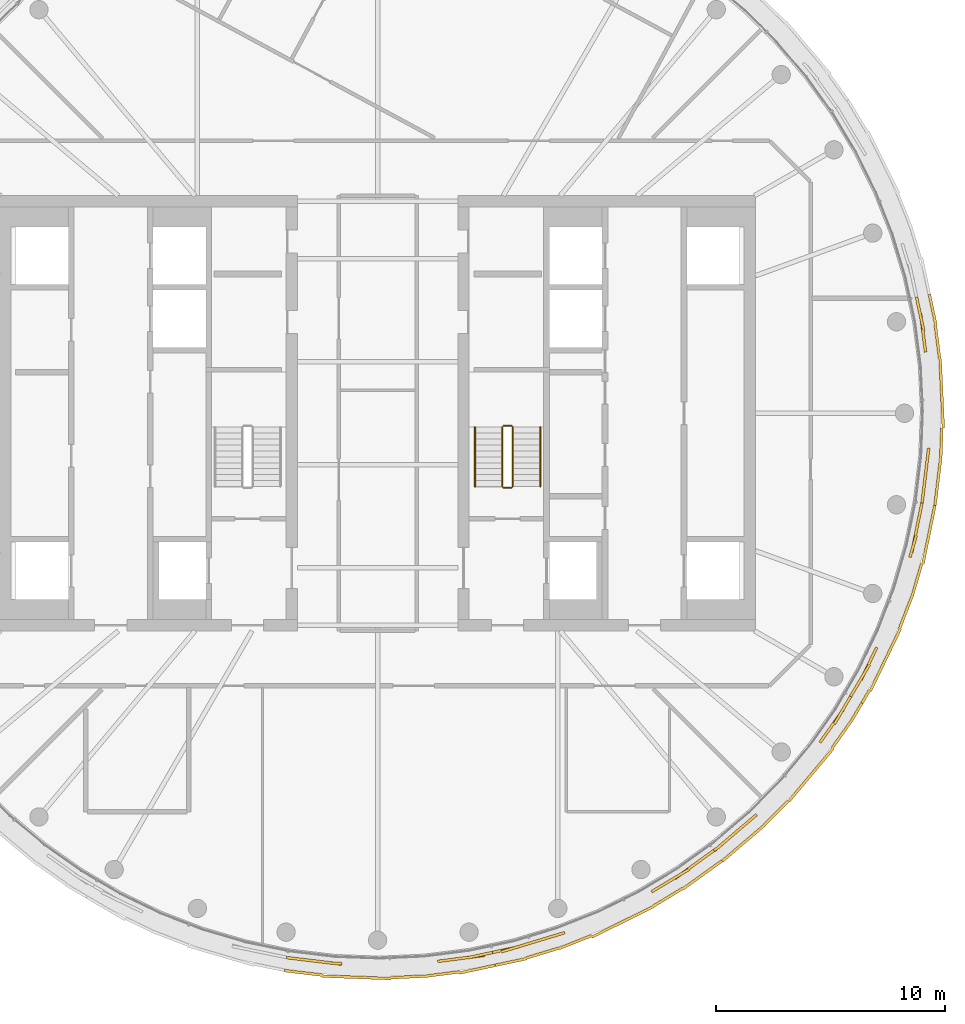
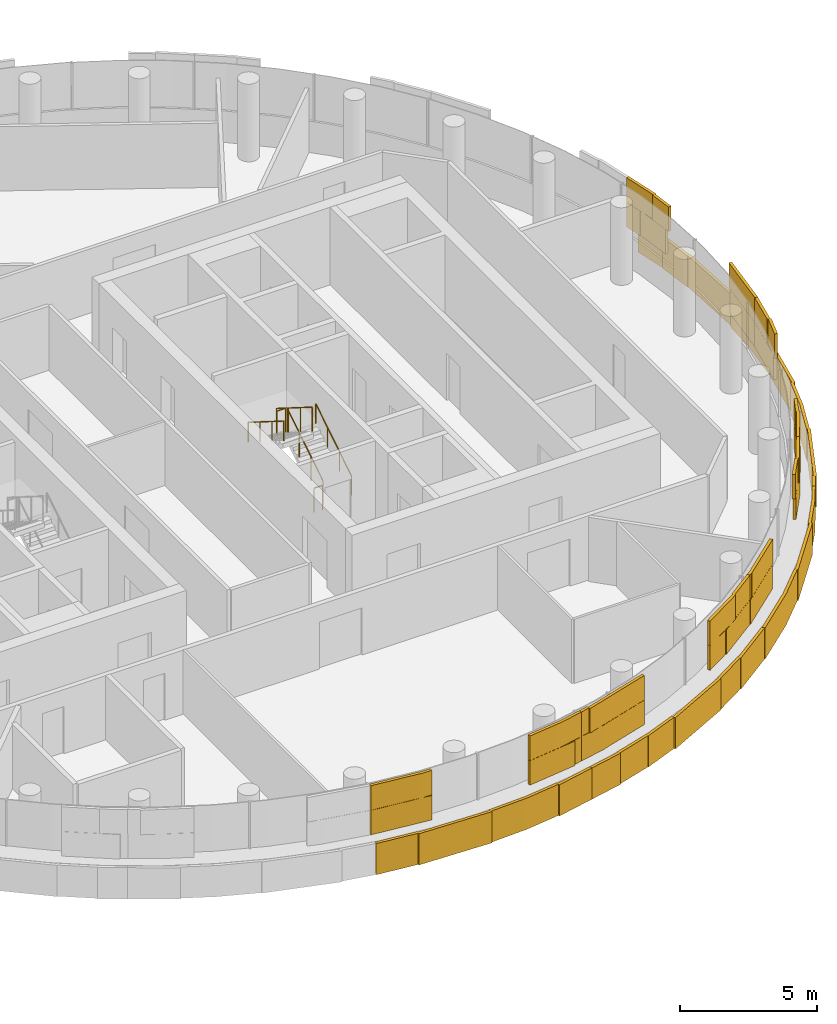
# One storey, part 19 of 22: 6 railings, 5 coverings.
"""IFC4 building model written with IfcOpenShell, lengths in metres."""

from ifc_helpers import new_model, si_unit, direction, frame, origin, origin_2d, place, context, subcontext, project, spatial, rectangle, circle, extrude, material, layer, layer_set, type_object, element, save


model = new_model("IFC4")

# Units and contexts
model_context = context("Model", 3, precision=1e-05, world=origin(), true_north=direction((0.0, 1.0)))
body_context = subcontext(model_context, "Body", "Model", "MODEL_VIEW")
ifc_project = project(units=[si_unit("LENGTHUNIT", "METRE"), si_unit("AREAUNIT", "SQUARE_METRE"), si_unit("VOLUMEUNIT", "CUBIC_METRE"), si_unit("PLANEANGLEUNIT", "RADIAN"), si_unit("MASSUNIT", "GRAM", prefix="KILO")], contexts=[model_context])

# Site, building, storey
site_placement = place(None, origin())
site = spatial("IfcSite", under=ifc_project, at=site_placement, CompositionType="ELEMENT")
building_placement = place(site_placement, origin())
building = spatial("IfcBuilding", under=site, at=building_placement, Name="Tamarind Cross Interchange Tower", CompositionType="ELEMENT")
storey_placement = place(building_placement, frame((0.0, 0.0, 256.800048828125)))
storey = spatial("IfcBuildingStorey", under=building, at=storey_placement, Name="L65", CompositionType="ELEMENT", Elevation=256.800048828125)

# Railings
ifc_material_1 = material(Name="Stair guard")
railing_type_1 = type_object("IfcRailingType", Name="Stair guard", PredefinedType="GUARDRAIL", material=ifc_material_1)
railing_1_placement = place(storey_placement, frame((5.89990234375, -3.199951171875, 0.16357421875)))
element("IfcRailing", 1, at=railing_1_placement, inside=storey, type_object=railing_type_1, Name="L65 ST2 stair guard 1", PredefinedType="GUARDRAIL", context=body_context, shape_type="SweptSolid", body=[
    extrude(circle(Radius=0.02392578125, at=origin_2d()), frame((0.0, 0.0, 1.076171875), z_axis=(0.0, 0.846301844409, 0.532703658848), x_axis=(-1.0, 0.0, 0.0)), (0.0, 0.0, 1.0), 3.072021484375),
    extrude(circle(Radius=0.02099609375, at=origin_2d()), origin(), (0.0, 0.0, 1.0), 1.052001953125),
    extrude(circle(Radius=0.02099609375, at=origin_2d()), frame((0.0, 0.86669921875, 0.54541015625)), (0.0, 0.0, 1.0), 1.052001953125),
    extrude(circle(Radius=0.02099609375, at=origin_2d()), frame((0.0, 1.733154296875, 1.091064453125)), (0.0, 0.0, 1.0), 1.052001953125),
    extrude(circle(Radius=0.02099609375, at=origin_2d()), frame((0.0, 2.599853515625, 1.636474609375)), (0.0, 0.0, 1.0), 1.052001953125),
])
railing_2_placement = place(storey_placement, frame((5.85009765625, -0.550048828125, 1.800048828125)))
element("IfcRailing", 2, at=railing_2_placement, inside=storey, type_object=railing_type_1, Name="L65 ST2 stair guard 2", PredefinedType="GUARDRAIL", context=body_context, shape_type="SweptSolid", body=[
    extrude(circle(Radius=0.02392578125, at=origin_2d()), frame((0.0, 0.0, 1.076171875), z_axis=(-1.0, 0.0, 0.0), x_axis=(0.0, -1.0, 0.0)), (0.0, 0.0, 1.0), 0.35009765625),
    extrude(circle(Radius=0.02099609375, at=origin_2d()), origin(), (0.0, 0.0, 1.0), 1.052001953125),
    extrude(circle(Radius=0.02099609375, at=origin_2d()), frame((-0.35009765625, 0.0, 0.0)), (0.0, 0.0, 1.0), 1.052001953125),
])
railing_3_placement = place(storey_placement, frame((5.449951171875, -0.60009765625, 1.963623046875)))
element("IfcRailing", 3, at=railing_3_placement, inside=storey, type_object=railing_type_1, Name="L65 ST2 stair guard 3", PredefinedType="GUARDRAIL", context=body_context, shape_type="SweptSolid", body=[
    extrude(circle(Radius=0.02392578125, at=origin_2d()), frame((0.0, 0.0, 1.076171875), z_axis=(0.0, -0.846337672412, 0.532646734952), x_axis=(1.0, 0.0, 0.0)), (0.0, 0.0, 1.0), 3.07177734375),
    extrude(circle(Radius=0.02099609375, at=origin_2d()), origin(), (0.0, 0.0, 1.0), 1.052001953125),
    extrude(circle(Radius=0.02099609375, at=origin_2d()), frame((0.0, -0.86669921875, 0.54541015625)), (0.0, 0.0, 1.0), 1.052001953125),
    extrude(circle(Radius=0.02099609375, at=origin_2d()), frame((0.0, -1.733154296875, 1.0908203125)), (0.0, 0.0, 1.0), 1.052001953125),
    extrude(circle(Radius=0.02099609375, at=origin_2d()), frame((0.0, -2.599853515625, 1.63623046875)), (0.0, 0.0, 1.0), 1.052001953125),
])
railing_4_placement = place(storey_placement, frame((5.85009765625, -3.25, 0.0)))
element("IfcRailing", 4, at=railing_4_placement, inside=storey, type_object=railing_type_1, Name="L65 ST2 stair guard 4", PredefinedType="GUARDRAIL", context=body_context, shape_type="SweptSolid", body=[
    extrude(circle(Radius=0.02392578125, at=origin_2d()), frame((0.0, 0.0, 1.076171875), z_axis=(-1.0, 0.0, 0.0), x_axis=(0.0, -1.0, 0.0)), (0.0, 0.0, 1.0), 0.35009765625),
    extrude(circle(Radius=0.02099609375, at=origin_2d()), origin(), (0.0, 0.0, 1.0), 1.052001953125),
    extrude(circle(Radius=0.02099609375, at=origin_2d()), frame((-0.35009765625, 0.0, 0.0)), (0.0, 0.0, 1.0), 1.052001953125),
])
ifc_material_2 = material(Name="Stair handrail")
railing_type_2 = type_object("IfcRailingType", Name="Stair handrail", PredefinedType="HANDRAIL", material=ifc_material_2)
railing_5_placement = place(storey_placement, frame((7.10009765625, -3.199951171875, 0.16357421875)))
element("IfcRailing", 5, at=railing_5_placement, inside=storey, type_object=railing_type_2, Name="L65 ST2 stair handrail 1", PredefinedType="HANDRAIL", context=body_context, shape_type="SweptSolid", body=[
    extrude(circle(Radius=0.02392578125, at=origin_2d()), frame((0.0, 0.0, 0.8759765625), z_axis=(0.0, 0.846301844409, 0.532703658848), x_axis=(-1.0, 0.0, 0.0)), (0.0, 0.0, 1.0), 3.072021484375),
    extrude(circle(Radius=0.02099609375, at=origin_2d()), origin(), (0.0, 0.0, 1.0), 0.851806640625),
    extrude(circle(Radius=0.02099609375, at=origin_2d()), frame((0.0, 0.86669921875, 0.54541015625)), (0.0, 0.0, 1.0), 0.851806640625),
    extrude(circle(Radius=0.02099609375, at=origin_2d()), frame((0.0, 1.733154296875, 1.091064453125)), (0.0, 0.0, 1.0), 0.851806640625),
    extrude(circle(Radius=0.02099609375, at=origin_2d()), frame((0.0, 2.599853515625, 1.636474609375)), (0.0, 0.0, 1.0), 0.851806640625),
])
railing_6_placement = place(storey_placement, frame((4.25, -0.60009765625, 1.963623046875)))
element("IfcRailing", 6, at=railing_6_placement, inside=storey, type_object=railing_type_2, Name="L65 ST2 stair handrail 2", PredefinedType="HANDRAIL", context=body_context, shape_type="SweptSolid", body=[
    extrude(circle(Radius=0.02392578125, at=origin_2d()), frame((0.0, 0.0, 0.8759765625), z_axis=(0.0, -0.846337672412, 0.532646734952), x_axis=(1.0, 0.0, 0.0)), (0.0, 0.0, 1.0), 3.07177734375),
    extrude(circle(Radius=0.02099609375, at=origin_2d()), origin(), (0.0, 0.0, 1.0), 0.851806640625),
    extrude(circle(Radius=0.02099609375, at=origin_2d()), frame((0.0, -0.86669921875, 0.54541015625)), (0.0, 0.0, 1.0), 0.851806640625),
    extrude(circle(Radius=0.02099609375, at=origin_2d()), frame((0.0, -1.733154296875, 1.0908203125)), (0.0, 0.0, 1.0), 0.851806640625),
    extrude(circle(Radius=0.02099609375, at=origin_2d()), frame((0.0, -2.599853515625, 1.63623046875)), (0.0, 0.0, 1.0), 0.851806640625),
])

# Coverings
ifc_material_3 = material(Name="Terracotta", Category="masonry")
ifc_layer = layer(ifc_material_3, 0.1201171875)
ifc_layer_set = layer_set([ifc_layer], Name="Terracotta")
covering_type = type_object("IfcCoveringType", Name="Terracotta baguette screen unit", PredefinedType="MOLDING", material=ifc_layer_set)
covering_1_placement = place(storey_placement, origin())
element("IfcCovering", 7, at=covering_1_placement, inside=storey, type_object=covering_type, Name="SCR-L65-01-07", PredefinedType="MOLDING", context=body_context, shape_type="SweptSolid", body=[
    extrude(rectangle(XDim=1.19140625, YDim=0.1201171875, at=origin_2d()), frame((-3.385498046875, -23.831787109375, 1.40380859375), z_axis=(0.0, 0.0, 1.0), x_axis=(0.992843710523, -0.119420963295, 0.0)), (0.0, 0.0, 1.0), 1.092041015625),
    extrude(rectangle(XDim=1.25, YDim=0.1201171875, at=origin_2d()), frame((-2.18359375, -23.976318359375, 1.40380859375), z_axis=(0.0, 0.0, 1.0), x_axis=(0.992843710523, -0.119420963295, 0.0)), (0.0, 0.0, 1.0), 1.092041015625),
    extrude(rectangle(XDim=0.570068359375, YDim=0.1201171875, at=origin_2d()), frame((2.904296875, -23.89013671875, 1.40380859375), z_axis=(0.0, 0.0, 1.0), x_axis=(0.991779070368, 0.127962008342, 0.0)), (0.0, 0.0, 1.0), 1.092041015625),
    extrude(rectangle(XDim=1.52001953125, YDim=0.1201171875, at=origin_2d()), frame((3.92578125, -23.75830078125, 1.40380859375), z_axis=(0.0, 0.0, 1.0), x_axis=(0.991779070368, 0.127962008342, 0.0)), (0.0, 0.0, 1.0), 1.092041015625),
    extrude(rectangle(XDim=0.371337890625, YDim=0.1201171875, at=origin_2d()), frame((4.837646484375, -23.5751953125, 1.40380859375), z_axis=(0.0, 0.0, 1.0), x_axis=(0.977824623121, 0.209425419705, 0.0)), (0.0, 0.0, 1.0), 1.092041015625),
    extrude(rectangle(XDim=0.44140625, YDim=0.1201171875, at=origin_2d()), frame((-3.7578125, -23.786865234375, 2.50390625), z_axis=(0.0, 0.0, 1.0), x_axis=(0.992843710523, -0.119420963295, 0.0)), (0.0, 0.0, 1.0), 1.092041015625),
    extrude(rectangle(XDim=1.52001953125, YDim=0.1201171875, at=origin_2d()), frame((-2.799072265625, -23.90234375, 2.50390625), z_axis=(0.0, 0.0, 1.0), x_axis=(0.992843710523, -0.119420963295, 0.0)), (0.0, 0.0, 1.0), 1.092041015625),
    extrude(rectangle(XDim=0.5, YDim=0.1201171875, at=origin_2d()), frame((-1.810791015625, -24.014892578125, 2.50390625), z_axis=(0.0, 0.0, 1.0), x_axis=(0.999314350871, -0.037024696392, 0.0)), (0.0, 0.0, 1.0), 1.092041015625),
    extrude(rectangle(XDim=1.320068359375, YDim=0.1201171875, at=origin_2d()), frame((3.276123046875, -23.84228515625, 2.50390625), z_axis=(0.0, 0.0, 1.0), x_axis=(0.991779070368, 0.127962008342, 0.0)), (0.0, 0.0, 1.0), 1.092041015625),
    extrude(rectangle(XDim=1.121337890625, YDim=0.1201171875, at=origin_2d()), frame((4.47119140625, -23.653564453125, 2.50390625), z_axis=(0.0, 0.0, 1.0), x_axis=(0.977824623121, 0.209425419705, 0.0)), (0.0, 0.0, 1.0), 1.092041015625),
    extrude(rectangle(XDim=0.17626953125, YDim=0.1201171875, at=origin_2d()), frame((-3.97900390625, -24.33642578125, 0.00390625), z_axis=(0.0, 0.0, 1.0), x_axis=(0.9795909409, -0.201001463943, 0.0)), (0.0, 0.0, 1.0), 1.39208984375),
    extrude(rectangle(XDim=1.52001953125, YDim=0.1201171875, at=origin_2d()), frame((-3.156982421875, -24.437255859375, 0.00390625), z_axis=(0.0, 0.0, 1.0), x_axis=(0.992843710523, -0.119420963295, 0.0)), (0.0, 0.0, 1.0), 1.39208984375),
    extrude(rectangle(XDim=1.52001953125, YDim=0.1201171875, at=origin_2d()), frame((-1.666015625, -24.5947265625, 0.00390625), z_axis=(0.0, 0.0, 1.0), x_axis=(0.999314350871, -0.037024696392, 0.0)), (0.0, 0.0, 1.0), 1.39208984375),
    extrude(rectangle(XDim=1.52001953125, YDim=0.1201171875, at=origin_2d()), frame((-0.1669921875, -24.650146484375, 0.00390625), z_axis=(0.0, 0.0, 1.0), x_axis=(0.999314350871, -0.037024696392, 0.0)), (0.0, 0.0, 1.0), 1.39208984375),
    extrude(rectangle(XDim=1.52001953125, YDim=0.1201171875, at=origin_2d()), frame((1.33154296875, -24.604248046875, 0.00390625), z_axis=(0.0, 0.0, 1.0), x_axis=(0.998958660912, 0.045624486728, 0.0)), (0.0, 0.0, 1.0), 1.39208984375),
    extrude(rectangle(XDim=1.52001953125, YDim=0.1201171875, at=origin_2d()), frame((2.824951171875, -24.479248046875, 0.00390625), z_axis=(0.0, 0.0, 1.0), x_axis=(0.991779070368, 0.127962008342, 0.0)), (0.0, 0.0, 1.0), 1.39208984375),
    extrude(rectangle(XDim=1.52001953125, YDim=0.1201171875, at=origin_2d()), frame((4.310546875, -24.27490234375, 0.00390625), z_axis=(0.0, 0.0, 1.0), x_axis=(0.977824623121, 0.209425419705, 0.0)), (0.0, 0.0, 1.0), 1.39208984375),
    extrude(rectangle(XDim=0.10205078125, YDim=0.1201171875, at=origin_2d()), frame((5.083984375, -24.109375, 0.00390625), z_axis=(0.0, 0.0, 1.0), x_axis=(0.977824623121, 0.209425419705, 0.0)), (0.0, 0.0, 1.0), 1.39208984375),
])
covering_2_placement = place(storey_placement, origin())
element("IfcCovering", 8, at=covering_2_placement, inside=storey, type_object=covering_type, Name="SCR-L65-01-08", PredefinedType="MOLDING", context=body_context, shape_type="SweptSolid", body=[
    extrude(rectangle(XDim=1.148681640625, YDim=0.1201171875, at=origin_2d()), frame((5.571044921875, -23.41796875, 1.40380859375), z_axis=(0.0, 0.0, 1.0), x_axis=(0.977824623121, 0.209425419705, 0.0)), (0.0, 0.0, 1.0), 1.092041015625),
    extrude(rectangle(XDim=1.52001953125, YDim=0.1201171875, at=origin_2d()), frame((6.84326171875, -23.072265625, 1.40380859375), z_axis=(0.0, 0.0, 1.0), x_axis=(0.957190642199, 0.289458243079, 0.0)), (0.0, 0.0, 1.0), 1.092041015625),
    extrude(rectangle(XDim=0.642822265625, YDim=0.1201171875, at=origin_2d()), frame((7.864013671875, -22.763671875, 1.40380859375), z_axis=(0.0, 0.0, 1.0), x_axis=(0.957190642199, 0.289458243079, 0.0)), (0.0, 0.0, 1.0), 1.092041015625),
    extrude(rectangle(XDim=1.17724609375, YDim=0.1201171875, at=origin_2d()), frame((12.46435546875, -20.586181640625, 1.40380859375), z_axis=(0.0, 0.0, 1.0), x_axis=(0.856843065292, 0.515577308909, 0.0)), (0.0, 0.0, 1.0), 1.092041015625),
    extrude(rectangle(XDim=1.52001953125, YDim=0.1201171875, at=origin_2d()), frame((13.588623046875, -19.87060546875, 1.40380859375), z_axis=(0.0, 0.0, 1.0), x_axis=(0.811340475102, 0.584573890505, 0.0)), (0.0, 0.0, 1.0), 1.092041015625),
    extrude(rectangle(XDim=0.6142578125, YDim=0.1201171875, at=origin_2d()), frame((14.4423828125, -19.255615234375, 1.40380859375), z_axis=(0.0, 0.0, 1.0), x_axis=(0.811340475102, 0.584573890505, 0.0)), (0.0, 0.0, 1.0), 1.092041015625),
    extrude(rectangle(XDim=0.398681640625, YDim=0.1201171875, at=origin_2d()), frame((5.204345703125, -23.49658203125, 2.50390625), z_axis=(0.0, 0.0, 1.0), x_axis=(0.977824623121, 0.209425419705, 0.0)), (0.0, 0.0, 1.0), 1.092041015625),
    extrude(rectangle(XDim=1.52001953125, YDim=0.1201171875, at=origin_2d()), frame((6.12548828125, -23.289306640625, 2.50390625), z_axis=(0.0, 0.0, 1.0), x_axis=(0.957190642199, 0.289458243079, 0.0)), (0.0, 0.0, 1.0), 1.092041015625),
    extrude(rectangle(XDim=1.392822265625, YDim=0.1201171875, at=origin_2d()), frame((7.505126953125, -22.8720703125, 2.50390625), z_axis=(0.0, 0.0, 1.0), x_axis=(0.957190642199, 0.289458243079, 0.0)), (0.0, 0.0, 1.0), 1.092041015625),
    extrude(rectangle(XDim=0.42724609375, YDim=0.1201171875, at=origin_2d()), frame((12.14306640625, -20.779541015625, 2.50390625), z_axis=(0.0, 0.0, 1.0), x_axis=(0.856843065292, 0.515577308909, 0.0)), (0.0, 0.0, 1.0), 1.092041015625),
    extrude(rectangle(XDim=1.52001953125, YDim=0.1201171875, at=origin_2d()), frame((12.96435546875, -20.285400390625, 2.50390625), z_axis=(0.0, 0.0, 1.0), x_axis=(0.856843065292, 0.515577308909, 0.0)), (0.0, 0.0, 1.0), 1.092041015625),
    extrude(rectangle(XDim=1.3642578125, YDim=0.1201171875, at=origin_2d()), frame((14.137939453125, -19.474853515625, 2.50390625), z_axis=(0.0, 0.0, 1.0), x_axis=(0.811340475102, 0.584573890505, 0.0)), (0.0, 0.0, 1.0), 1.092041015625),
    extrude(rectangle(XDim=1.41796875, YDim=0.1201171875, at=origin_2d()), frame((5.8271484375, -23.9501953125, 0.00390625), z_axis=(0.0, 0.0, 1.0), x_axis=(0.977824623121, 0.209425419705, 0.0)), (0.0, 0.0, 1.0), 1.39208984375),
    extrude(rectangle(XDim=1.52001953125, YDim=0.1201171875, at=origin_2d()), frame((7.220947265625, -23.557861328125, 0.00390625), z_axis=(0.0, 0.0, 1.0), x_axis=(0.957190642199, 0.289458243079, 0.0)), (0.0, 0.0, 1.0), 1.39208984375),
    extrude(rectangle(XDim=1.52001953125, YDim=0.1201171875, at=origin_2d()), frame((8.641357421875, -23.078857421875, 0.00390625), z_axis=(0.0, 0.0, 1.0), x_axis=(0.930018078613, 0.367513773146, 0.0)), (0.0, 0.0, 1.0), 1.39208984375),
    extrude(rectangle(XDim=1.52001953125, YDim=0.1201171875, at=origin_2d()), frame((10.03515625, -22.52490234375, 0.00390625), z_axis=(0.0, 0.0, 1.0), x_axis=(0.896492548518, 0.443058811505, 0.0)), (0.0, 0.0, 1.0), 1.39208984375),
    extrude(rectangle(XDim=1.52001953125, YDim=0.1201171875, at=origin_2d()), frame((11.3798828125, -21.860107421875, 0.00390625), z_axis=(0.0, 0.0, 1.0), x_axis=(0.896492548518, 0.443058811505, 0.0)), (0.0, 0.0, 1.0), 1.39208984375),
    extrude(rectangle(XDim=1.52001953125, YDim=0.1201171875, at=origin_2d()), frame((12.68505859375, -21.123291015625, 0.00390625), z_axis=(0.0, 0.0, 1.0), x_axis=(0.856843065292, 0.515577308909, 0.0)), (0.0, 0.0, 1.0), 1.39208984375),
    extrude(rectangle(XDim=1.52001953125, YDim=0.1201171875, at=origin_2d()), frame((13.949462890625, -20.318115234375, 0.00390625), z_axis=(0.0, 0.0, 1.0), x_axis=(0.811340475102, 0.584573890505, 0.0)), (0.0, 0.0, 1.0), 1.39208984375),
    extrude(rectangle(XDim=0.6015625, YDim=0.1201171875, at=origin_2d()), frame((14.793701171875, -19.7099609375, 0.00390625), z_axis=(0.0, 0.0, 1.0), x_axis=(0.811340475102, 0.584573890505, 0.0)), (0.0, 0.0, 1.0), 1.39208984375),
])
covering_3_placement = place(storey_placement, origin())
element("IfcCovering", 9, at=covering_3_placement, inside=storey, type_object=covering_type, Name="SCR-L65-01-09", PredefinedType="MOLDING", context=body_context, shape_type="SweptSolid", body=[
    extrude(rectangle(XDim=0.905517578125, YDim=0.1201171875, at=origin_2d()), frame((15.039794921875, -18.80322265625, 1.40380859375), z_axis=(0.0, 0.0, 1.0), x_axis=(0.760295606781, 0.64957723968, 0.0)), (0.0, 0.0, 1.0), 1.092041015625),
    extrude(rectangle(XDim=1.52001953125, YDim=0.1201171875, at=origin_2d()), frame((15.950439453125, -18.025146484375, 1.40380859375), z_axis=(0.0, 0.0, 1.0), x_axis=(0.760295606781, 0.64957723968, 0.0)), (0.0, 0.0, 1.0), 1.092041015625),
    extrude(rectangle(XDim=1.52001953125, YDim=0.1201171875, at=origin_2d()), frame((19.9033203125, -13.53515625, 1.40380859375), z_axis=(0.0, 0.0, 1.0), x_axis=(0.577568978284, 0.816341886298, 0.0)), (0.0, 0.0, 1.0), 1.092041015625),
    extrude(rectangle(XDim=0.656982421875, YDim=0.1201171875, at=origin_2d()), frame((20.487060546875, -12.63525390625, 1.40380859375), z_axis=(0.0, 0.0, 1.0), x_axis=(0.508183308752, 0.861248933065, 0.0)), (0.0, 0.0, 1.0), 1.092041015625),
    extrude(rectangle(XDim=0.155517578125, YDim=0.1201171875, at=origin_2d()), frame((14.74658203125, -19.036376953125, 2.50390625), z_axis=(0.0, 0.0, 1.0), x_axis=(0.811340475102, 0.584573890505, 0.0)), (0.0, 0.0, 1.0), 1.092041015625),
    extrude(rectangle(XDim=1.52001953125, YDim=0.1201171875, at=origin_2d()), frame((15.380126953125, -18.51220703125, 2.50390625), z_axis=(0.0, 0.0, 1.0), x_axis=(0.760295606781, 0.64957723968, 0.0)), (0.0, 0.0, 1.0), 1.092041015625),
    extrude(rectangle(XDim=0.78564453125, YDim=0.1201171875, at=origin_2d()), frame((16.245361328125, -17.773193359375, 2.50390625), z_axis=(0.0, 0.0, 1.0), x_axis=(0.760295606781, 0.64957723968, 0.0)), (0.0, 0.0, 1.0), 1.092041015625),
    extrude(rectangle(XDim=1.034423828125, YDim=0.1201171875, at=origin_2d()), frame((19.607666015625, -13.953369140625, 2.50390625), z_axis=(0.0, 0.0, 1.0), x_axis=(0.577568978284, 0.816341886298, 0.0)), (0.0, 0.0, 1.0), 1.092041015625),
    extrude(rectangle(XDim=1.406982421875, YDim=0.1201171875, at=origin_2d()), frame((20.29638671875, -12.958251953125, 2.50390625), z_axis=(0.0, 0.0, 1.0), x_axis=(0.508183308752, 0.861248933065, 0.0)), (0.0, 0.0, 1.0), 1.092041015625),
    extrude(rectangle(XDim=0.91845703125, YDim=0.1201171875, at=origin_2d()), frame((15.399169921875, -19.251220703125, 0.00390625), z_axis=(0.0, 0.0, 1.0), x_axis=(0.760295606781, 0.64957723968, 0.0)), (0.0, 0.0, 1.0), 1.39208984375),
    extrude(rectangle(XDim=1.52001953125, YDim=0.1201171875, at=origin_2d()), frame((16.310791015625, -18.47216796875, 0.00390625), z_axis=(0.0, 0.0, 1.0), x_axis=(0.760295606781, 0.64957723968, 0.0)), (0.0, 0.0, 1.0), 1.39208984375),
    extrude(rectangle(XDim=1.52001953125, YDim=0.1201171875, at=origin_2d()), frame((17.401611328125, -17.4443359375, 0.00390625), z_axis=(0.0, 0.0, 1.0), x_axis=(0.704057148523, 0.710143317658, 0.0)), (0.0, 0.0, 1.0), 1.39208984375),
    extrude(rectangle(XDim=1.52001953125, YDim=0.1201171875, at=origin_2d()), frame((18.436767578125, -16.35986328125, 0.00390625), z_axis=(0.0, 0.0, 1.0), x_axis=(0.643009266048, 0.765858396687, 0.0)), (0.0, 0.0, 1.0), 1.39208984375),
    extrude(rectangle(XDim=1.52001953125, YDim=0.1201171875, at=origin_2d()), frame((19.401123046875, -15.211181640625, 0.00390625), z_axis=(0.0, 0.0, 1.0), x_axis=(0.643009266048, 0.765858396687, 0.0)), (0.0, 0.0, 1.0), 1.39208984375),
    extrude(rectangle(XDim=1.52001953125, YDim=0.1201171875, at=origin_2d()), frame((20.2802734375, -13.996337890625, 0.00390625), z_axis=(0.0, 0.0, 1.0), x_axis=(0.577568978284, 0.816341886298, 0.0)), (0.0, 0.0, 1.0), 1.39208984375),
    extrude(rectangle(XDim=0.85986328125, YDim=0.1201171875, at=origin_2d()), frame((20.925537109375, -13.021728515625, 0.00390625), z_axis=(0.0, 0.0, 1.0), x_axis=(0.508183308752, 0.861248933065, 0.0)), (0.0, 0.0, 1.0), 1.39208984375),
])
covering_4_placement = place(storey_placement, origin())
element("IfcCovering", 10, at=covering_4_placement, inside=storey, type_object=covering_type, Name="SCR-L65-01-10", PredefinedType="MOLDING", context=body_context, shape_type="SweptSolid", body=[
    extrude(rectangle(XDim=0.863037109375, YDim=0.1201171875, at=origin_2d()), frame((20.8681640625, -11.9892578125, 1.40380859375), z_axis=(0.0, 0.0, 1.0), x_axis=(0.508183308752, 0.861248933065, 0.0)), (0.0, 0.0, 1.0), 1.092041015625),
    extrude(rectangle(XDim=1.52001953125, YDim=0.1201171875, at=origin_2d()), frame((21.432373046875, -10.958251953125, 1.40380859375), z_axis=(0.0, 0.0, 1.0), x_axis=(0.435326231914, 0.900272776334, 0.0)), (0.0, 0.0, 1.0), 1.092041015625),
    extrude(rectangle(XDim=1.52001953125, YDim=0.1201171875, at=origin_2d()), frame((23.472412109375, -5.334228515625, 1.40380859375), z_axis=(0.0, 0.0, 1.0), x_axis=(0.201001463943, 0.9795909409, 0.0)), (0.0, 0.0, 1.0), 1.092041015625),
    extrude(rectangle(XDim=0.7001953125, YDim=0.1201171875, at=origin_2d()), frame((23.6923828125, -4.261474609375, 1.40380859375), z_axis=(0.0, 0.0, 1.0), x_axis=(0.201001463943, 0.9795909409, 0.0)), (0.0, 0.0, 1.0), 1.092041015625),
    extrude(rectangle(XDim=0.113037109375, YDim=0.1201171875, at=origin_2d()), frame((20.677490234375, -12.312255859375, 2.50390625), z_axis=(0.0, 0.0, 1.0), x_axis=(0.508183308752, 0.861248933065, 0.0)), (0.0, 0.0, 1.0), 1.092041015625),
    extrude(rectangle(XDim=1.52001953125, YDim=0.1201171875, at=origin_2d()), frame((21.0849609375, -11.6220703125, 2.50390625), z_axis=(0.0, 0.0, 1.0), x_axis=(0.508183308752, 0.861248933065, 0.0)), (0.0, 0.0, 1.0), 1.092041015625),
    extrude(rectangle(XDim=0.82861328125, YDim=0.1201171875, at=origin_2d()), frame((21.610595703125, -10.589599609375, 2.50390625), z_axis=(0.0, 0.0, 1.0), x_axis=(0.435326231914, 0.900272776334, 0.0)), (0.0, 0.0, 1.0), 1.092041015625),
    extrude(rectangle(XDim=0.991455078125, YDim=0.1201171875, at=origin_2d()), frame((23.37353515625, -5.814697265625, 2.50390625), z_axis=(0.0, 0.0, 1.0), x_axis=(0.281208920763, 0.95964657186, 0.0)), (0.0, 0.0, 1.0), 1.092041015625),
    extrude(rectangle(XDim=1.4501953125, YDim=0.1201171875, at=origin_2d()), frame((23.6171875, -4.628662109375, 2.50390625), z_axis=(0.0, 0.0, 1.0), x_axis=(0.201001463943, 0.9795909409, 0.0)), (0.0, 0.0, 1.0), 1.092041015625),
    extrude(rectangle(XDim=0.66015625, YDim=0.1201171875, at=origin_2d()), frame((21.311767578125, -12.3671875, 0.00390625), z_axis=(0.0, 0.0, 1.0), x_axis=(0.508183308752, 0.861248933065, 0.0)), (0.0, 0.0, 1.0), 1.39208984375),
    extrude(rectangle(XDim=1.52001953125, YDim=0.1201171875, at=origin_2d()), frame((21.8388671875, -11.4365234375, 0.00390625), z_axis=(0.0, 0.0, 1.0), x_axis=(0.435326231914, 0.900272776334, 0.0)), (0.0, 0.0, 1.0), 1.39208984375),
    extrude(rectangle(XDim=1.52001953125, YDim=0.1201171875, at=origin_2d()), frame((22.49169921875, -10.086181640625, 0.00390625), z_axis=(0.0, 0.0, 1.0), x_axis=(0.435326231914, 0.900272776334, 0.0)), (0.0, 0.0, 1.0), 1.39208984375),
    extrude(rectangle(XDim=1.52001953125, YDim=0.1201171875, at=origin_2d()), frame((23.054443359375, -8.696533203125, 0.00390625), z_axis=(0.0, 0.0, 1.0), x_axis=(0.359495435512, 0.933146843667, 0.0)), (0.0, 0.0, 1.0), 1.39208984375),
    extrude(rectangle(XDim=1.52001953125, YDim=0.1201171875, at=origin_2d()), frame((23.54248046875, -7.279541015625, 0.00390625), z_axis=(0.0, 0.0, 1.0), x_axis=(0.281208920763, 0.95964657186, 0.0)), (0.0, 0.0, 1.0), 1.39208984375),
    extrude(rectangle(XDim=1.52001953125, YDim=0.1201171875, at=origin_2d()), frame((23.955078125, -5.837646484375, 0.00390625), z_axis=(0.0, 0.0, 1.0), x_axis=(0.201001463943, 0.9795909409, 0.0)), (0.0, 0.0, 1.0), 1.39208984375),
    extrude(rectangle(XDim=1.11865234375, YDim=0.1201171875, at=origin_2d()), frame((24.216064453125, -4.56494140625, 0.00390625), z_axis=(0.0, 0.0, 1.0), x_axis=(0.201001463943, 0.9795909409, 0.0)), (0.0, 0.0, 1.0), 1.39208984375),
])
covering_5_placement = place(storey_placement, origin())
element("IfcCovering", 11, at=covering_5_placement, inside=storey, type_object=covering_type, Name="SCR-L65-01-11", PredefinedType="MOLDING", context=body_context, shape_type="SweptSolid", body=[
    extrude(rectangle(XDim=0.81982421875, YDim=0.1201171875, at=origin_2d()), frame((23.815185546875, -3.522216796875, 1.40380859375), z_axis=(0.0, 0.0, 1.0), x_axis=(0.119420963295, 0.992843710523, 0.0)), (0.0, 0.0, 1.0), 1.092041015625),
    extrude(rectangle(XDim=1.52001953125, YDim=0.1201171875, at=origin_2d()), frame((23.953125, -2.37548828125, 1.40380859375), z_axis=(0.0, 0.0, 1.0), x_axis=(0.119420963295, 0.992843710523, 0.0)), (0.0, 0.0, 1.0), 1.092041015625),
    extrude(rectangle(XDim=1.52001953125, YDim=0.1201171875, at=origin_2d()), frame((23.7998046875, 3.60498046875, 1.40380859375), z_axis=(0.0, 0.0, 1.0), x_axis=(-0.127962008342, 0.991779070368, 0.0)), (0.0, 0.0, 1.0), 1.092041015625),
    extrude(rectangle(XDim=0.742919921875, YDim=0.1201171875, at=origin_2d()), frame((23.60400390625, 4.703125, 1.40380859375), z_axis=(0.0, 0.0, 1.0), x_axis=(-0.209425419705, 0.977824623121, 0.0)), (0.0, 0.0, 1.0), 1.092041015625),
    extrude(rectangle(XDim=0.06982421875, YDim=0.1201171875, at=origin_2d()), frame((23.767822265625, -3.89404296875, 2.50390625), z_axis=(0.0, 0.0, 1.0), x_axis=(0.201001463943, 0.9795909409, 0.0)), (0.0, 0.0, 1.0), 1.092041015625),
    extrude(rectangle(XDim=1.52001953125, YDim=0.1201171875, at=origin_2d()), frame((23.863525390625, -3.1201171875, 2.50390625), z_axis=(0.0, 0.0, 1.0), x_axis=(0.119420963295, 0.992843710523, 0.0)), (0.0, 0.0, 1.0), 1.092041015625),
    extrude(rectangle(XDim=0.87158203125, YDim=0.1201171875, at=origin_2d()), frame((24.004638671875, -1.94775390625, 2.50390625), z_axis=(0.0, 0.0, 1.0), x_axis=(0.119420963295, 0.992843710523, 0.0)), (0.0, 0.0, 1.0), 1.092041015625),
    extrude(rectangle(XDim=0.948486328125, YDim=0.1201171875, at=origin_2d()), frame((23.85986328125, 3.1396484375, 2.50390625), z_axis=(0.0, 0.0, 1.0), x_axis=(-0.127962008342, 0.991779070368, 0.0)), (0.0, 0.0, 1.0), 1.092041015625),
    extrude(rectangle(XDim=1.492919921875, YDim=0.1201171875, at=origin_2d()), frame((23.682373046875, 4.33642578125, 2.50390625), z_axis=(0.0, 0.0, 1.0), x_axis=(-0.209425419705, 0.977824623121, 0.0)), (0.0, 0.0, 1.0), 1.092041015625),
    extrude(rectangle(XDim=0.4013671875, YDim=0.1201171875, at=origin_2d()), frame((24.357666015625, -3.818603515625, 0.00390625), z_axis=(0.0, 0.0, 1.0), x_axis=(0.119420963295, 0.992843710523, 0.0)), (0.0, 0.0, 1.0), 1.39208984375),
    extrude(rectangle(XDim=1.52001953125, YDim=0.1201171875, at=origin_2d()), frame((24.469970703125, -2.884521484375, 0.00390625), z_axis=(0.0, 0.0, 1.0), x_axis=(0.119420963295, 0.992843710523, 0.0)), (0.0, 0.0, 1.0), 1.39208984375),
    extrude(rectangle(XDim=1.52001953125, YDim=0.1201171875, at=origin_2d()), frame((24.604736328125, -1.391845703125, 0.00390625), z_axis=(0.0, 0.0, 1.0), x_axis=(0.037024696392, 0.999314350871, 0.0)), (0.0, 0.0, 1.0), 1.39208984375),
    extrude(rectangle(XDim=1.52001953125, YDim=0.1201171875, at=origin_2d()), frame((24.66015625, 0.107177734375, 0.00390625), z_axis=(0.0, 0.0, 1.0), x_axis=(-0.045624486728, 0.998958660912, 0.0)), (0.0, 0.0, 1.0), 1.39208984375),
    extrude(rectangle(XDim=1.52001953125, YDim=0.1201171875, at=origin_2d()), frame((24.591796875, 1.60546875, 0.00390625), z_axis=(0.0, 0.0, 1.0), x_axis=(-0.045624486728, 0.998958660912, 0.0)), (0.0, 0.0, 1.0), 1.39208984375),
    extrude(rectangle(XDim=1.52001953125, YDim=0.1201171875, at=origin_2d()), frame((24.444091796875, 3.09716796875, 0.00390625), z_axis=(0.0, 0.0, 1.0), x_axis=(-0.127962008342, 0.991779070368, 0.0)), (0.0, 0.0, 1.0), 1.39208984375),
    extrude(rectangle(XDim=1.377197265625, YDim=0.1201171875, at=origin_2d()), frame((24.232421875, 4.509033203125, 0.00390625), z_axis=(0.0, 0.0, 1.0), x_axis=(-0.209425419705, 0.977824623121, 0.0)), (0.0, 0.0, 1.0), 1.39208984375),
])

save(model, "model.ifc")
